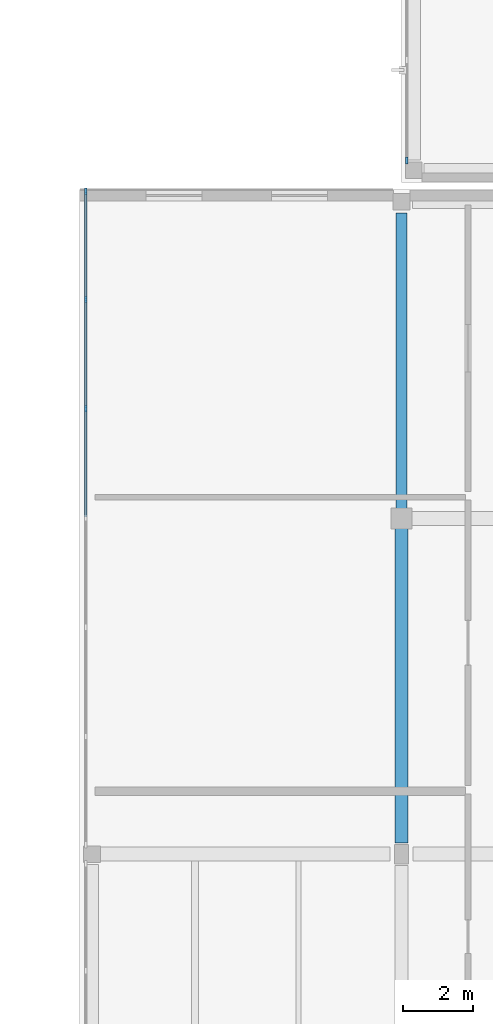
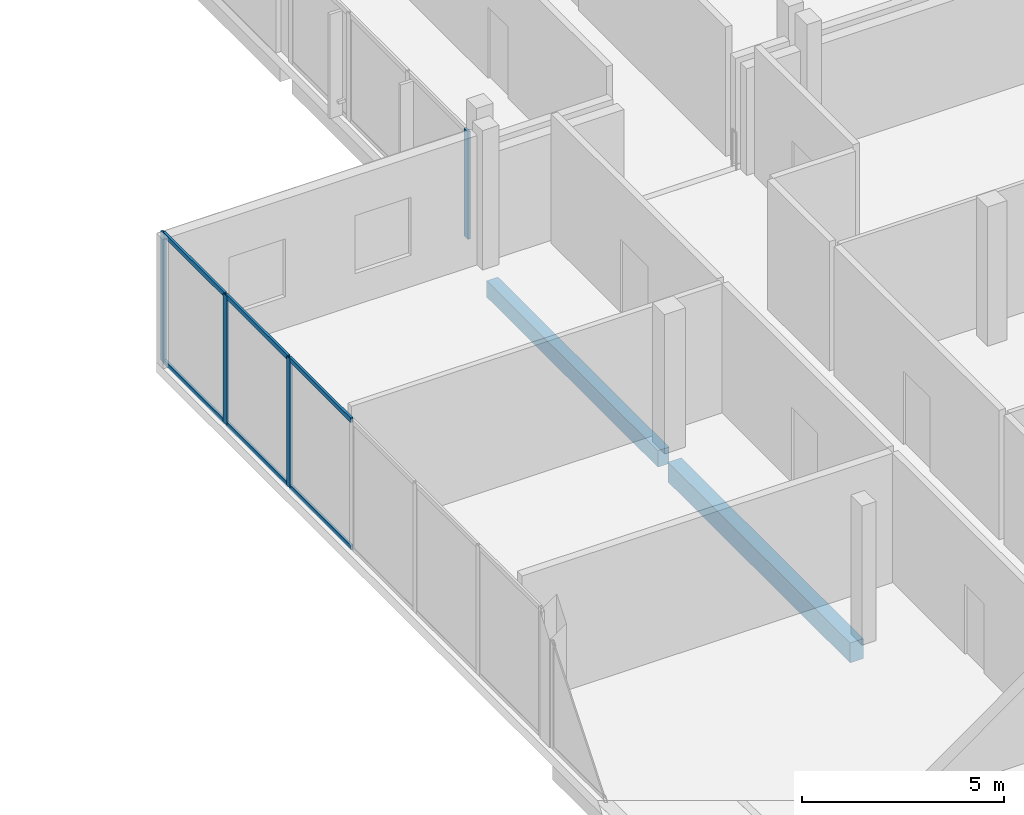
# One storey, part 18 of 66: 10 members, 2 beams, 2 elements without a shape of their own.
"""IFC4 building model written with IfcOpenShell, lengths in metres."""

from ifc_helpers import new_model, si_unit, direction, frame, origin, origin_2d, place, context, subcontext, project, spatial, rectangle, extrude, material, layer, layer_set, material_profile, profile_set, type_object, element, aggregate, save


model = new_model("IFC4")

# Units and contexts
model_context = context("Model", 3, precision=1e-05, world=origin(), true_north=direction((0.0, 1.0)))
body_context = subcontext(model_context, "Body", "Model", "MODEL_VIEW")
ifc_project = project(units=[si_unit("LENGTHUNIT", "METRE"), si_unit("AREAUNIT", "SQUARE_METRE"), si_unit("VOLUMEUNIT", "CUBIC_METRE"), si_unit("PLANEANGLEUNIT", "RADIAN"), si_unit("MASSUNIT", "GRAM", prefix="KILO")], contexts=[model_context])

# Site, building, storey
site_placement = place(None, origin())
site = spatial("IfcSite", under=ifc_project, at=site_placement, CompositionType="ELEMENT")
building_placement = place(site_placement, origin())
building = spatial("IfcBuilding", under=site, at=building_placement, Name="Birchvale Park Specialist Clinic", CompositionType="ELEMENT")
storey_placement = place(building_placement, frame((0.0, 0.0, 5.39990234375)))
storey = spatial("IfcBuildingStorey", under=building, at=storey_placement, Name="L01", CompositionType="ELEMENT", Elevation=5.39990234375)

# Beams
ifc_material_1 = material(Name="Concrete C40/50", Category="concrete")
ifc_material_profile_1 = material_profile(ifc_material_1, rectangle(XDim=0.3798828125, YDim=0.60009765625, at=origin_2d()), Name="RCB-380x600")
ifc_profile_set_1 = profile_set([ifc_material_profile_1], Name="Concrete C40/50")
beam_type_1 = type_object("IfcBeamType", Name="BM-INT-BG5", PredefinedType="BEAM", material=ifc_profile_set_1)
beam_1_placement = place(storey_placement, frame((128.0, 44.72509765625, -0.599853515625), z_axis=(0.0, 1.0, 0.0), x_axis=(-1.0, 0.0, 0.0)))
element("IfcBeam", 1, at=beam_1_placement, inside=storey, type_object=beam_type_1, Name="V5 L01 Y girder 45", PredefinedType="BEAM", context=body_context, shape_type="SweptSolid", body=[
    extrude(rectangle(XDim=0.3798828125, YDim=0.60009765625, at=origin_2d()), origin(), (0.0, 0.0, 1.0), 9.0),
])
ifc_material_profile_2 = material_profile(ifc_material_1, rectangle(XDim=0.320068359375, YDim=0.5, at=origin_2d()), Name="RCB-320x500")
ifc_profile_set_2 = profile_set([ifc_material_profile_2], Name="Concrete C40/50")
beam_type_2 = type_object("IfcBeamType", Name="BM-INT-BG7", PredefinedType="BEAM", material=ifc_profile_set_2)
beam_2_placement = place(storey_placement, frame((128.0, 54.27490234375, -0.5498046875), z_axis=(0.0, 1.0, 0.0), x_axis=(-1.0, 0.0, 0.0)))
element("IfcBeam", 2, at=beam_2_placement, inside=storey, type_object=beam_type_2, Name="V5 L01 Y girder 46", PredefinedType="BEAM", context=body_context, shape_type="SweptSolid", body=[
    extrude(rectangle(XDim=0.320068359375, YDim=0.5, at=origin_2d()), origin(), (0.0, 0.0, 1.0), 8.460205078125),
])

# Curtain wall, members
ifc_material_2 = material(Name="Thermally broken anodised aluminium", Category="aluminium")
ifc_layer_1 = layer(ifc_material_2, 0.195068359375)
ifc_layer_set_1 = layer_set([ifc_layer_1], Name="Thermally broken anodised aluminium")
curtain_wall_type_1 = type_object("IfcCurtainWallType", Name="CW-U2", PredefinedType="USERDEFINED", material=ifc_layer_set_1)
curtain_wall_1_placement = place(storey_placement, origin())
curtain_wall_1 = element("IfcCurtainWall", 3, at=curtain_wall_1_placement, inside=storey, type_object=curtain_wall_type_1, Name="V5 L01 glazed curtain wall 92", ObjectType="UNITISED", PredefinedType="USERDEFINED")
ifc_material_profile_3 = material_profile(ifc_material_2, rectangle(XDim=0.06494140625, YDim=0.179931640625, at=origin_2d()), Name="CWM-65x180")
ifc_profile_set_3 = profile_set([ifc_material_profile_3], Name="Thermally broken anodised aluminium")
member_type_1 = type_object("IfcMemberType", Name="CWM2", PredefinedType="MULLION", material=ifc_profile_set_3)
member_1_placement = place(storey_placement, frame((118.97509765625, 63.347412109375, 0.0), z_axis=(0.0, 0.0, 1.0), x_axis=(1.0, 0.0, 0.0)))
member_1 = element("IfcMember", 4, at=member_1_placement, type_object=member_type_1, Name="CW mullion 1", PredefinedType="MULLION", context=body_context, shape_type="SweptSolid", body=[
    extrude(rectangle(XDim=0.06494140625, YDim=0.179931640625, at=origin_2d()), origin(), (0.0, 0.0, 1.0), 3.900146484375),
])
member_2_placement = place(storey_placement, frame((118.97509765625, 60.256591796875, 0.0), z_axis=(0.0, 0.0, 1.0), x_axis=(1.0, 0.0, 0.0)))
member_2 = element("IfcMember", 5, at=member_2_placement, type_object=member_type_1, Name="CW mullion 2", PredefinedType="MULLION", context=body_context, shape_type="SweptSolid", body=[
    extrude(rectangle(XDim=0.06494140625, YDim=0.179931640625, at=origin_2d()), origin(), (0.0, 0.0, 1.0), 3.900146484375),
])
member_3_placement = place(storey_placement, frame((118.97509765625, 57.13330078125, 0.0), z_axis=(0.0, 0.0, 1.0), x_axis=(1.0, 0.0, 0.0)))
member_3 = element("IfcMember", 6, at=member_3_placement, type_object=member_type_1, Name="CW mullion 3", PredefinedType="MULLION", context=body_context, shape_type="SweptSolid", body=[
    extrude(rectangle(XDim=0.06494140625, YDim=0.179931640625, at=origin_2d()), origin(), (0.0, 0.0, 1.0), 3.900146484375),
])

# Curtain wall, member
ifc_layer_2 = layer(ifc_material_2, 0.2099609375)
ifc_layer_set_2 = layer_set([ifc_layer_2], Name="Thermally broken anodised aluminium")
curtain_wall_type_2 = type_object("IfcCurtainWallType", Name="CW-U3", PredefinedType="USERDEFINED", material=ifc_layer_set_2)
curtain_wall_2_placement = place(storey_placement, origin())
curtain_wall_2 = element("IfcCurtainWall", 7, at=curtain_wall_2_placement, inside=storey, type_object=curtain_wall_type_2, Name="V6 L01 glazed curtain wall 102", ObjectType="UNITISED", PredefinedType="USERDEFINED")
ifc_material_profile_4 = material_profile(ifc_material_2, rectangle(XDim=0.070068359375, YDim=0.199951171875, at=origin_2d()), Name="CWM-70x200")
ifc_profile_set_4 = profile_set([ifc_material_profile_4], Name="Thermally broken anodised aluminium")
member_type_2 = type_object("IfcMemberType", Name="CWM3", PredefinedType="MULLION", material=ifc_profile_set_4)
member_4_placement = place(storey_placement, frame((128.14501953125, 64.22509765625, 0.0), z_axis=(0.0, 0.0, 1.0), x_axis=(1.0, 0.0, 0.0)))
member_4 = element("IfcMember", 8, at=member_4_placement, type_object=member_type_2, Name="CW mullion 4", PredefinedType="MULLION", context=body_context, shape_type="SweptSolid", body=[
    extrude(rectangle(XDim=0.070068359375, YDim=0.199951171875, at=origin_2d()), origin(), (0.0, 0.0, 1.0), 3.2451171875),
])
aggregate(curtain_wall_2, [member_4])

# Member
ifc_material_profile_5 = material_profile(ifc_material_2, rectangle(XDim=0.06494140625, YDim=0.139892578125, at=origin_2d()), Name="CWT-65x140")
ifc_profile_set_5 = profile_set([ifc_material_profile_5], Name="Thermally broken anodised aluminium")
member_type_3 = type_object("IfcMemberType", Name="CWT2", PredefinedType="USERDEFINED", material=ifc_profile_set_5)
member_5_placement = place(storey_placement, frame((118.97509765625, 63.31494140625, 0.03271484375), z_axis=(0.0, -1.0, 0.0), x_axis=(1.0, 0.0, 0.0)))
member_5 = element("IfcMember", 9, at=member_5_placement, type_object=member_type_3, Name="CW transom 1.1", ObjectType="TRANSOM", PredefinedType="USERDEFINED", context=body_context, shape_type="SweptSolid", body=[
    extrude(rectangle(XDim=0.06494140625, YDim=0.139892578125, at=origin_2d()), origin(), (0.0, 0.0, 1.0), 3.02587890625),
])

member_6_placement = place(storey_placement, frame((118.97509765625, 63.31494140625, 3.86767578125), z_axis=(0.0, -1.0, 0.0), x_axis=(1.0, 0.0, 0.0)))
member_6 = element("IfcMember", 10, at=member_6_placement, type_object=member_type_3, Name="CW transom 1.2", ObjectType="TRANSOM", PredefinedType="USERDEFINED", context=body_context, shape_type="SweptSolid", body=[
    extrude(rectangle(XDim=0.06494140625, YDim=0.139892578125, at=origin_2d()), origin(), (0.0, 0.0, 1.0), 3.02587890625),
])

member_7_placement = place(storey_placement, frame((118.97509765625, 60.22412109375, 0.03271484375), z_axis=(0.0, -1.0, 0.0), x_axis=(1.0, 0.0, 0.0)))
member_7 = element("IfcMember", 11, at=member_7_placement, type_object=member_type_3, Name="CW transom 2.1", ObjectType="TRANSOM", PredefinedType="USERDEFINED", context=body_context, shape_type="SweptSolid", body=[
    extrude(rectangle(XDim=0.06494140625, YDim=0.139892578125, at=origin_2d()), origin(), (0.0, 0.0, 1.0), 3.058349609375),
])

member_8_placement = place(storey_placement, frame((118.97509765625, 60.22412109375, 3.86767578125), z_axis=(0.0, -1.0, 0.0), x_axis=(1.0, 0.0, 0.0)))
member_8 = element("IfcMember", 12, at=member_8_placement, type_object=member_type_3, Name="CW transom 2.2", ObjectType="TRANSOM", PredefinedType="USERDEFINED", context=body_context, shape_type="SweptSolid", body=[
    extrude(rectangle(XDim=0.06494140625, YDim=0.139892578125, at=origin_2d()), origin(), (0.0, 0.0, 1.0), 3.058349609375),
])

member_9_placement = place(storey_placement, frame((118.97509765625, 57.100830078125, 0.03271484375), z_axis=(0.0, -1.0, 0.0), x_axis=(1.0, 0.0, 0.0)))
member_9 = element("IfcMember", 13, at=member_9_placement, type_object=member_type_3, Name="CW transom 3.1", ObjectType="TRANSOM", PredefinedType="USERDEFINED", context=body_context, shape_type="SweptSolid", body=[
    extrude(rectangle(XDim=0.06494140625, YDim=0.139892578125, at=origin_2d()), origin(), (0.0, 0.0, 1.0), 3.058349609375),
])

member_10_placement = place(storey_placement, frame((118.97509765625, 57.100830078125, 3.86767578125), z_axis=(0.0, -1.0, 0.0), x_axis=(1.0, 0.0, 0.0)))
member_10 = element("IfcMember", 14, at=member_10_placement, type_object=member_type_3, Name="CW transom 3.2", ObjectType="TRANSOM", PredefinedType="USERDEFINED", context=body_context, shape_type="SweptSolid", body=[
    extrude(rectangle(XDim=0.06494140625, YDim=0.139892578125, at=origin_2d()), origin(), (0.0, 0.0, 1.0), 3.058349609375),
])

aggregate(curtain_wall_1, [member_1, member_2, member_3, member_5, member_6, member_7, member_8, member_9, member_10])

save(model, "model.ifc")
